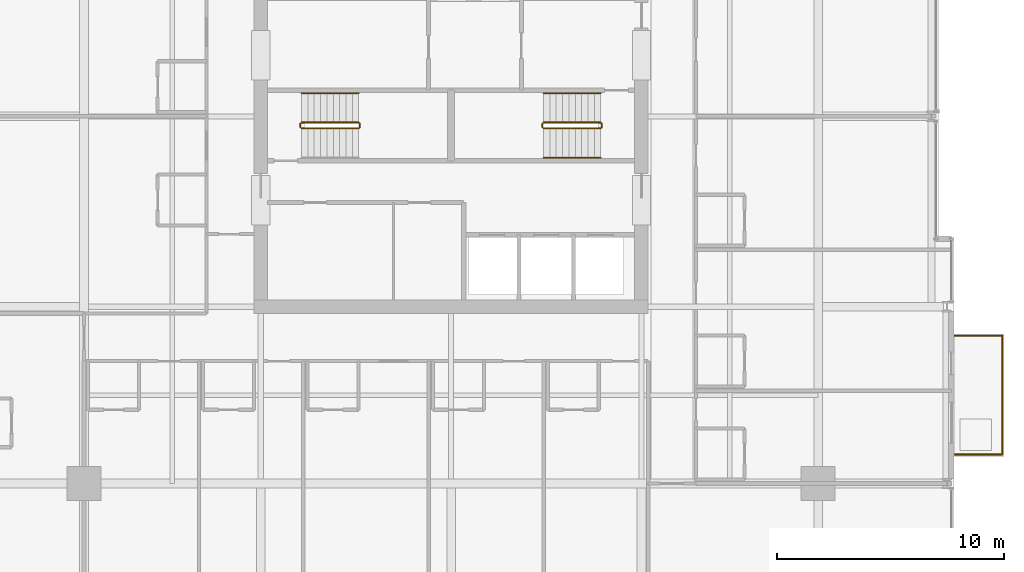
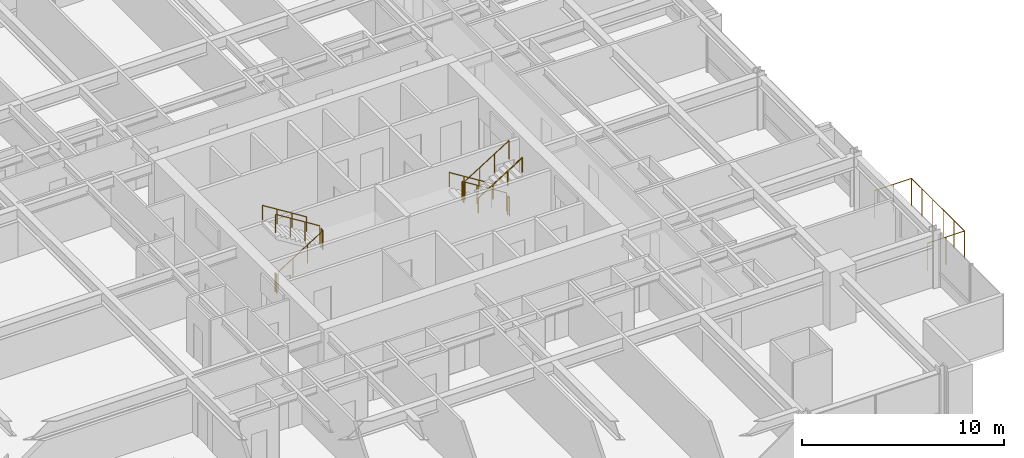
# One storey, part 34 of 35: 12 railings.
"""IFC4 building model written with IfcOpenShell, lengths in metres."""

from ifc_helpers import new_model, si_unit, direction, frame, origin, origin_2d, place, context, subcontext, project, spatial, circle, extrude, material, type_object, element, save


model = new_model("IFC4")

# Units and contexts
model_context = context("Model", 3, precision=1e-05, world=origin(), true_north=direction((0.0, 1.0)))
body_context = subcontext(model_context, "Body", "Model", "MODEL_VIEW")
ifc_project = project(units=[si_unit("LENGTHUNIT", "METRE"), si_unit("AREAUNIT", "SQUARE_METRE"), si_unit("VOLUMEUNIT", "CUBIC_METRE"), si_unit("PLANEANGLEUNIT", "RADIAN"), si_unit("MASSUNIT", "GRAM", prefix="KILO")], contexts=[model_context])

# Site, building, storey
site_placement = place(None, origin())
site = spatial("IfcSite", under=ifc_project, at=site_placement, CompositionType="ELEMENT")
building_placement = place(site_placement, origin())
building = spatial("IfcBuilding", under=site, at=building_placement, Name="Drelvath Grand Hotel", CompositionType="ELEMENT")
storey_placement = place(building_placement, frame((0.0, 0.0, 95.300048828125)))
storey = spatial("IfcBuildingStorey", under=building, at=storey_placement, Name="L23", CompositionType="ELEMENT", Elevation=95.300048828125)

# Railings
ifc_material_1 = material(Name="Painted Steel S275", Category="steel")
railing_type_1 = type_object("IfcRailingType", Name="Core Stair Wall Handrail 900", PredefinedType="HANDRAIL", material=ifc_material_1)
for number, where, name in (
    (1, (-4.080078125, 28.030029296875, 1.925048828125), "L23 ST-1 stair handrail 2"),
    (2, (6.60009765625, 28.030029296875, 0.175048828125), "L23 ST-2 stair handrail 1"),
):
    element("IfcRailing", number, at=place(storey_placement, frame(where)), inside=storey, type_object=railing_type_1, Name=name, PredefinedType="HANDRAIL", context=body_context, shape_type="SweptSolid", body=[
        extrude(circle(Radius=0.02392578125, at=origin_2d()), frame((0.0, 0.0, 0.8759765625), z_axis=(-0.848007534815, 0.0, 0.529984170421), x_axis=(0.0, -1.0, 0.0)), (0.0, 0.0, 1.0), 2.9716796875),
        extrude(circle(Radius=0.02099609375, at=origin_2d()), origin(), (0.0, 0.0, 1.0), 0.851806640625),
        extrude(circle(Radius=0.02099609375, at=origin_2d()), frame((-0.840087890625, 0.0, 0.52490234375)), (0.0, 0.0, 1.0), 0.851806640625),
        extrude(circle(Radius=0.02099609375, at=origin_2d()), frame((-1.679931640625, 0.0, 1.050048828125)), (0.0, 0.0, 1.0), 0.851806640625),
        extrude(circle(Radius=0.02099609375, at=origin_2d()), frame((-2.52001953125, 0.0, 1.574951171875)), (0.0, 0.0, 1.0), 0.851806640625),
    ])
railing_1_placement = place(storey_placement, frame((4.080078125, 25.169921875, 1.925048828125)))
element("IfcRailing", 3, at=railing_1_placement, inside=storey, type_object=railing_type_1, Name="L23 ST-2 stair handrail 2", PredefinedType="HANDRAIL", context=body_context, shape_type="SweptSolid", body=[
    extrude(circle(Radius=0.02392578125, at=origin_2d()), frame((0.0, 0.0, 0.8759765625), z_axis=(0.848007534815, 0.0, 0.529984170421), x_axis=(0.0, 1.0, 0.0)), (0.0, 0.0, 1.0), 2.9716796875),
    extrude(circle(Radius=0.02099609375, at=origin_2d()), origin(), (0.0, 0.0, 1.0), 0.851806640625),
    extrude(circle(Radius=0.02099609375, at=origin_2d()), frame((0.840087890625, 0.0, 0.52490234375)), (0.0, 0.0, 1.0), 0.851806640625),
    extrude(circle(Radius=0.02099609375, at=origin_2d()), frame((1.679931640625, 0.0, 1.050048828125)), (0.0, 0.0, 1.0), 0.851806640625),
    extrude(circle(Radius=0.02099609375, at=origin_2d()), frame((2.52001953125, 0.0, 1.574951171875)), (0.0, 0.0, 1.0), 0.851806640625),
])
railing_type_2 = type_object("IfcRailingType", Name="Core Stair Well Guardrail 1100", PredefinedType="GUARDRAIL", material=ifc_material_1)
railing_2_placement = place(storey_placement, frame((-6.60009765625, 26.469970703125, 0.175048828125)))
element("IfcRailing", 4, at=railing_2_placement, inside=storey, type_object=railing_type_2, Name="L23 ST-1 stair guard 1", PredefinedType="GUARDRAIL", context=body_context, shape_type="SweptSolid", body=[
    extrude(circle(Radius=0.02392578125, at=origin_2d()), frame((0.0, 0.0, 1.1259765625), z_axis=(0.848007534815, 0.0, 0.529984170421), x_axis=(0.0, 1.0, 0.0)), (0.0, 0.0, 1.0), 2.9716796875),
    extrude(circle(Radius=0.02099609375, at=origin_2d()), origin(), (0.0, 0.0, 1.0), 1.101806640625),
    extrude(circle(Radius=0.02099609375, at=origin_2d()), frame((0.840087890625, 0.0, 0.52490234375)), (0.0, 0.0, 1.0), 1.101806640625),
    extrude(circle(Radius=0.02099609375, at=origin_2d()), frame((1.679931640625, 0.0, 1.050048828125)), (0.0, 0.0, 1.0), 1.101806640625),
    extrude(circle(Radius=0.02099609375, at=origin_2d()), frame((2.52001953125, 0.0, 1.574951171875)), (0.0, 0.0, 1.0), 1.101806640625),
])
railing_3_placement = place(storey_placement, frame((-4.030029296875, 26.52001953125, 1.75)))
element("IfcRailing", 5, at=railing_3_placement, inside=storey, type_object=railing_type_2, Name="L23 ST-1 stair guard 2", PredefinedType="GUARDRAIL", context=body_context, shape_type="SweptSolid", body=[
    extrude(circle(Radius=0.02392578125, at=origin_2d()), frame((0.0, 0.0, 1.1259765625), z_axis=(0.0, 1.0, 0.0), x_axis=(-1.0, 0.0, 0.0)), (0.0, 0.0, 1.0), 0.159912109375),
    extrude(circle(Radius=0.02099609375, at=origin_2d()), origin(), (0.0, 0.0, 1.0), 1.101806640625),
    extrude(circle(Radius=0.02099609375, at=origin_2d()), frame((0.0, 0.159912109375, 0.0)), (0.0, 0.0, 1.0), 1.101806640625),
])
railing_4_placement = place(storey_placement, frame((-4.080078125, 26.72998046875, 1.925048828125)))
element("IfcRailing", 6, at=railing_4_placement, inside=storey, type_object=railing_type_2, Name="L23 ST-1 stair guard 3", PredefinedType="GUARDRAIL", context=body_context, shape_type="SweptSolid", body=[
    extrude(circle(Radius=0.02392578125, at=origin_2d()), frame((0.0, 0.0, 1.1259765625), z_axis=(-0.848007534815, 0.0, 0.529984170421), x_axis=(0.0, -1.0, 0.0)), (0.0, 0.0, 1.0), 2.9716796875),
    extrude(circle(Radius=0.02099609375, at=origin_2d()), origin(), (0.0, 0.0, 1.0), 1.101806640625),
    extrude(circle(Radius=0.02099609375, at=origin_2d()), frame((-0.840087890625, 0.0, 0.52490234375)), (0.0, 0.0, 1.0), 1.101806640625),
    extrude(circle(Radius=0.02099609375, at=origin_2d()), frame((-1.679931640625, 0.0, 1.050048828125)), (0.0, 0.0, 1.0), 1.101806640625),
    extrude(circle(Radius=0.02099609375, at=origin_2d()), frame((-2.52001953125, 0.0, 1.574951171875)), (0.0, 0.0, 1.0), 1.101806640625),
])
railing_5_placement = place(storey_placement, frame((-6.64990234375, 26.52001953125, 0.0)))
element("IfcRailing", 7, at=railing_5_placement, inside=storey, type_object=railing_type_2, Name="L23 ST-1 stair guard 4", PredefinedType="GUARDRAIL", context=body_context, shape_type="SweptSolid", body=[
    extrude(circle(Radius=0.02392578125, at=origin_2d()), frame((0.0, 0.0, 1.1259765625), z_axis=(0.0, 1.0, 0.0), x_axis=(-1.0, 0.0, 0.0)), (0.0, 0.0, 1.0), 0.159912109375),
    extrude(circle(Radius=0.02099609375, at=origin_2d()), origin(), (0.0, 0.0, 1.0), 1.101806640625),
    extrude(circle(Radius=0.02099609375, at=origin_2d()), frame((0.0, 0.159912109375, 0.0)), (0.0, 0.0, 1.0), 1.101806640625),
])
railing_6_placement = place(storey_placement, frame((6.60009765625, 26.72998046875, 0.175048828125)))
element("IfcRailing", 8, at=railing_6_placement, inside=storey, type_object=railing_type_2, Name="L23 ST-2 stair guard 1", PredefinedType="GUARDRAIL", context=body_context, shape_type="SweptSolid", body=[
    extrude(circle(Radius=0.02392578125, at=origin_2d()), frame((0.0, 0.0, 1.1259765625), z_axis=(-0.848007534815, 0.0, 0.529984170421), x_axis=(0.0, -1.0, 0.0)), (0.0, 0.0, 1.0), 2.9716796875),
    extrude(circle(Radius=0.02099609375, at=origin_2d()), origin(), (0.0, 0.0, 1.0), 1.101806640625),
    extrude(circle(Radius=0.02099609375, at=origin_2d()), frame((-0.840087890625, 0.0, 0.52490234375)), (0.0, 0.0, 1.0), 1.101806640625),
    extrude(circle(Radius=0.02099609375, at=origin_2d()), frame((-1.679931640625, 0.0, 1.050048828125)), (0.0, 0.0, 1.0), 1.101806640625),
    extrude(circle(Radius=0.02099609375, at=origin_2d()), frame((-2.52001953125, 0.0, 1.574951171875)), (0.0, 0.0, 1.0), 1.101806640625),
])
railing_7_placement = place(storey_placement, frame((4.030029296875, 26.679931640625, 1.75)))
element("IfcRailing", 9, at=railing_7_placement, inside=storey, type_object=railing_type_2, Name="L23 ST-2 stair guard 2", PredefinedType="GUARDRAIL", context=body_context, shape_type="SweptSolid", body=[
    extrude(circle(Radius=0.02392578125, at=origin_2d()), frame((0.0, 0.0, 1.1259765625), z_axis=(0.0, -1.0, 0.0), x_axis=(1.0, 0.0, 0.0)), (0.0, 0.0, 1.0), 0.159912109375),
    extrude(circle(Radius=0.02099609375, at=origin_2d()), origin(), (0.0, 0.0, 1.0), 1.101806640625),
    extrude(circle(Radius=0.02099609375, at=origin_2d()), frame((0.0, -0.159912109375, 0.0)), (0.0, 0.0, 1.0), 1.101806640625),
])
railing_8_placement = place(storey_placement, frame((4.080078125, 26.469970703125, 1.925048828125)))
element("IfcRailing", 10, at=railing_8_placement, inside=storey, type_object=railing_type_2, Name="L23 ST-2 stair guard 3", PredefinedType="GUARDRAIL", context=body_context, shape_type="SweptSolid", body=[
    extrude(circle(Radius=0.02392578125, at=origin_2d()), frame((0.0, 0.0, 1.1259765625), z_axis=(0.848007534815, 0.0, 0.529984170421), x_axis=(0.0, 1.0, 0.0)), (0.0, 0.0, 1.0), 2.9716796875),
    extrude(circle(Radius=0.02099609375, at=origin_2d()), origin(), (0.0, 0.0, 1.0), 1.101806640625),
    extrude(circle(Radius=0.02099609375, at=origin_2d()), frame((0.840087890625, 0.0, 0.52490234375)), (0.0, 0.0, 1.0), 1.101806640625),
    extrude(circle(Radius=0.02099609375, at=origin_2d()), frame((1.679931640625, 0.0, 1.050048828125)), (0.0, 0.0, 1.0), 1.101806640625),
    extrude(circle(Radius=0.02099609375, at=origin_2d()), frame((2.52001953125, 0.0, 1.574951171875)), (0.0, 0.0, 1.0), 1.101806640625),
])
railing_9_placement = place(storey_placement, frame((6.64990234375, 26.679931640625, 0.0)))
element("IfcRailing", 11, at=railing_9_placement, inside=storey, type_object=railing_type_2, Name="L23 ST-2 stair guard 4", PredefinedType="GUARDRAIL", context=body_context, shape_type="SweptSolid", body=[
    extrude(circle(Radius=0.02392578125, at=origin_2d()), frame((0.0, 0.0, 1.1259765625), z_axis=(0.0, -1.0, 0.0), x_axis=(1.0, 0.0, 0.0)), (0.0, 0.0, 1.0), 0.159912109375),
    extrude(circle(Radius=0.02099609375, at=origin_2d()), origin(), (0.0, 0.0, 1.0), 1.101806640625),
    extrude(circle(Radius=0.02099609375, at=origin_2d()), frame((0.0, -0.159912109375, 0.0)), (0.0, 0.0, 1.0), 1.101806640625),
])
ifc_material_2 = material(Name="Anodised Aluminium and Laminated Glass Balustrade", Category="aluminium")
railing_type_3 = type_object("IfcRailingType", Name="Raised Planter Edge Balustrade 1700", PredefinedType="BALUSTRADE", material=ifc_material_2)
railing_10_placement = place(storey_placement, frame((22.219970703125, 12.080078125, 0.0)))
element("IfcRailing", 12, at=railing_10_placement, inside=storey, type_object=railing_type_3, Name="L23 Tree Balcony Perimeter Balustrade 1", PredefinedType="BALUSTRADE", context=body_context, shape_type="SweptSolid", body=[
    extrude(circle(Radius=0.02392578125, at=origin_2d()), frame((0.0, 0.0, 1.67578125), z_axis=(1.0, 0.0, 0.0), x_axis=(0.0, 1.0, 0.0)), (0.0, 0.0, 1.0), 2.10009765625),
    extrude(circle(Radius=0.02392578125, at=origin_2d()), frame((2.10009765625, 0.0, 1.67578125), z_axis=(0.0, 1.0, 0.0), x_axis=(-1.0, 0.0, 0.0)), (0.0, 0.0, 1.0), 5.239990234375),
    extrude(circle(Radius=0.02392578125, at=origin_2d()), frame((2.10009765625, 5.239990234375, 1.67578125), z_axis=(-1.0, 0.0, 0.0), x_axis=(0.0, -1.0, 0.0)), (0.0, 0.0, 1.0), 2.10009765625),
    extrude(circle(Radius=0.02099609375, at=origin_2d()), origin(), (0.0, 0.0, 1.0), 1.65185546875),
    extrude(circle(Radius=0.02099609375, at=origin_2d()), frame((1.050048828125, 0.0, 0.0)), (0.0, 0.0, 1.0), 1.65185546875),
    extrude(circle(Radius=0.02099609375, at=origin_2d()), frame((2.10009765625, 0.0, 0.0)), (0.0, 0.0, 1.0), 1.65185546875),
    extrude(circle(Radius=0.02099609375, at=origin_2d()), frame((2.10009765625, 1.048095703125, 0.0)), (0.0, 0.0, 1.0), 1.65185546875),
    extrude(circle(Radius=0.02099609375, at=origin_2d()), frame((2.10009765625, 2.095947265625, 0.0)), (0.0, 0.0, 1.0), 1.65185546875),
    extrude(circle(Radius=0.02099609375, at=origin_2d()), frame((2.10009765625, 3.14404296875, 0.0)), (0.0, 0.0, 1.0), 1.65185546875),
    extrude(circle(Radius=0.02099609375, at=origin_2d()), frame((2.10009765625, 4.19189453125, 0.0)), (0.0, 0.0, 1.0), 1.65185546875),
    extrude(circle(Radius=0.02099609375, at=origin_2d()), frame((2.10009765625, 5.239990234375, 0.0)), (0.0, 0.0, 1.0), 1.65185546875),
    extrude(circle(Radius=0.02099609375, at=origin_2d()), frame((1.050048828125, 5.239990234375, 0.0)), (0.0, 0.0, 1.0), 1.65185546875),
    extrude(circle(Radius=0.02099609375, at=origin_2d()), frame((0.0, 5.239990234375, 0.0)), (0.0, 0.0, 1.0), 1.65185546875),
])

save(model, "model.ifc")
